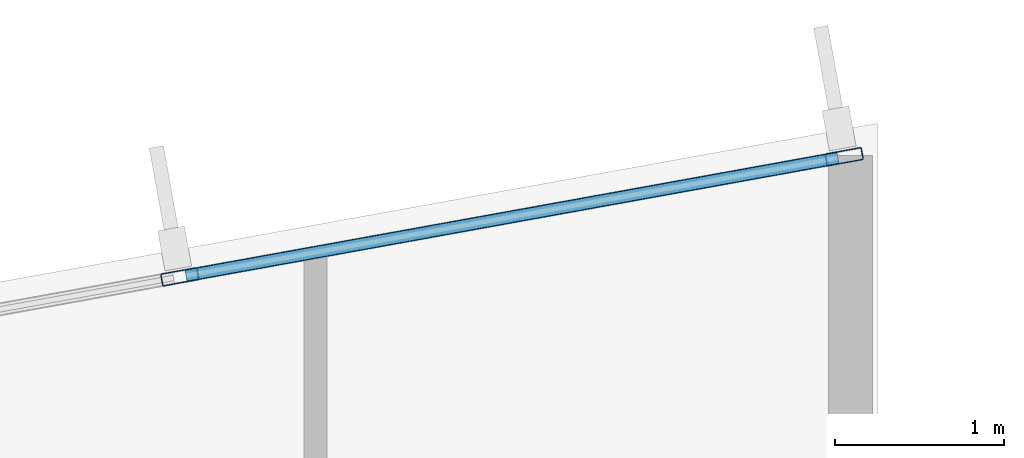
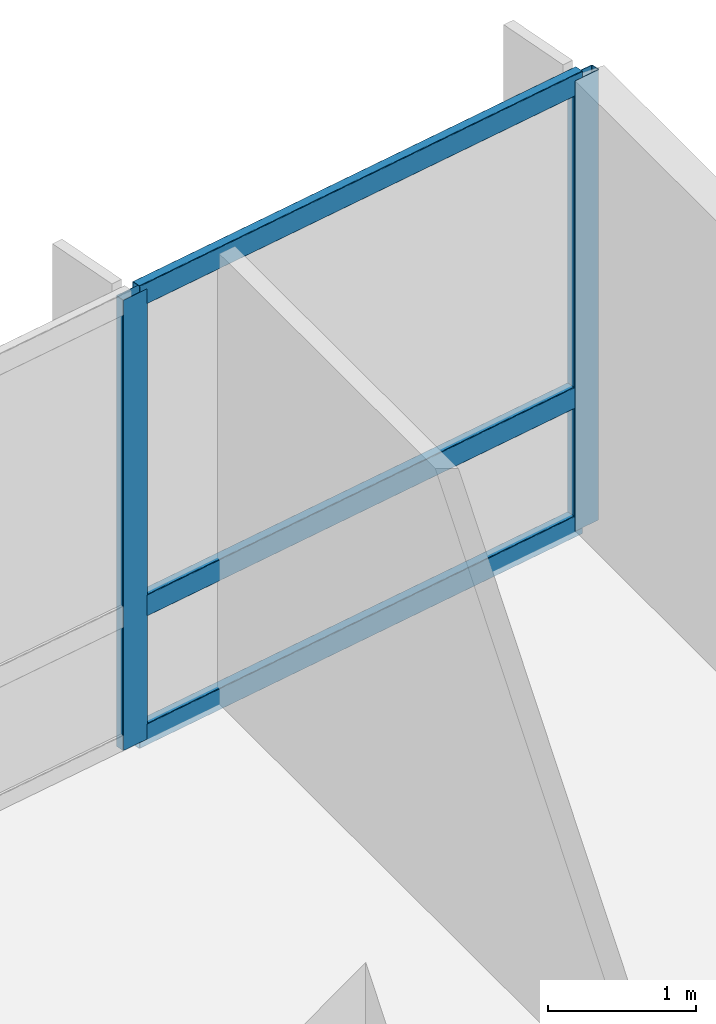
# One storey, part 11 of 22: 5 members, 1 element without a shape of its own.
"""IFC4 building model written with IfcOpenShell, lengths in metres."""

from ifc_helpers import new_model, si_unit, direction, frame, origin, origin_2d, place, context, subcontext, project, spatial, hollow_rectangle, extrude, material, layer, layer_set, material_profile, profile_set, type_object, element, aggregate, save


model = new_model("IFC4")

# Units and contexts
model_context = context("Model", 3, precision=1e-05, world=origin(), true_north=direction((0.0, 1.0)))
body_context = subcontext(model_context, "Body", "Model", "MODEL_VIEW")
ifc_project = project(units=[si_unit("LENGTHUNIT", "METRE"), si_unit("AREAUNIT", "SQUARE_METRE"), si_unit("VOLUMEUNIT", "CUBIC_METRE"), si_unit("PLANEANGLEUNIT", "RADIAN"), si_unit("MASSUNIT", "GRAM", prefix="KILO")], contexts=[model_context])

# Site, building, storey
site_placement = place(None, origin())
site = spatial("IfcSite", under=ifc_project, at=site_placement, CompositionType="ELEMENT")
building_placement = place(site_placement, origin())
building = spatial("IfcBuilding", under=site, at=building_placement, Name="Varnakote Quay Hospital", CompositionType="ELEMENT")
storey_placement = place(building_placement, frame((0.0, 0.0, 62.0)))
storey = spatial("IfcBuildingStorey", under=building, at=storey_placement, Name="L15", CompositionType="ELEMENT", Elevation=62.0)

# Curtain wall, members
ifc_material_1 = material(Name="Anodised aluminium 6063-T6 Bronze", Category="aluminium")
ifc_layer = layer(ifc_material_1, 0.18994140625)
ifc_layer_set = layer_set([ifc_layer], Name="Anodised aluminium 6063-T6 Bronze")
curtain_wall_type = type_object("IfcCurtainWallType", Name="CW-SYS-2", PredefinedType="NOTDEFINED", material=ifc_layer_set)
curtain_wall_placement = place(storey_placement, origin())
curtain_wall = element("IfcCurtainWall", 1, at=curtain_wall_placement, inside=storey, type_object=curtain_wall_type, Name="L15 Unitised Bronze Curtain Wall 2", PredefinedType="NOTDEFINED")
ifc_material_2 = material(Name="Anodised aluminium 6063-T6 Bronze", Category="aluminium")
ifc_material_profile_1 = material_profile(ifc_material_2, hollow_rectangle(XDim=0.074951171875, YDim=0.219970703125, WallThickness=0.00439453125, InnerFilletRadius=0.00439453125, OuterFilletRadius=0.009033203125, at=origin_2d()), Name="CW-MULL-220x75")
ifc_profile_set_1 = profile_set([ifc_material_profile_1], Name="Anodised aluminium 6063-T6 Bronze")
member_type_1 = type_object("IfcMemberType", Name="CW-MULL-220x75", PredefinedType="MULLION", material=ifc_profile_set_1)
member_1_placement = place(storey_placement, frame((55.403076171875, 34.201904296875, 0.0), z_axis=(0.0, 0.0, 1.0), x_axis=(0.177846199098, -0.984058295766, 0.0)))
member_1 = element("IfcMember", 2, at=member_1_placement, type_object=member_type_1, Name="-2-L15-2 mullion 1", PredefinedType="MULLION", context=body_context, shape_type="SweptSolid", body=[
    extrude(hollow_rectangle(XDim=0.074951171875, YDim=0.219970703125, WallThickness=0.00439453125, InnerFilletRadius=0.00439453125, OuterFilletRadius=0.009033203125, at=origin_2d()), origin(), (0.0, 0.0, 1.0), 3.7099609375),
])
member_2_placement = place(storey_placement, frame((51.477294921875, 33.492431640625, 0.0), z_axis=(0.0, 0.0, 1.0), x_axis=(0.177846199098, -0.984058295766, 0.0)))
member_2 = element("IfcMember", 3, at=member_2_placement, type_object=member_type_1, Name="-2-L15-2 mullion 2", PredefinedType="MULLION", context=body_context, shape_type="SweptSolid", body=[
    extrude(hollow_rectangle(XDim=0.074951171875, YDim=0.219970703125, WallThickness=0.00439453125, InnerFilletRadius=0.00439453125, OuterFilletRadius=0.009033203125, at=origin_2d()), origin(), (0.0, 0.0, 1.0), 3.7099609375),
])
ifc_material_3 = material(Name="Anodised aluminium 6063-T6 Bronze", Category="aluminium")
ifc_material_profile_2 = material_profile(ifc_material_3, hollow_rectangle(XDim=0.074951171875, YDim=0.179931640625, WallThickness=0.004150390625, InnerFilletRadius=0.004150390625, OuterFilletRadius=0.00830078125, at=origin_2d()), Name="CW-TRAN-180x75")
ifc_profile_set_2 = profile_set([ifc_material_profile_2], Name="Anodised aluminium 6063-T6 Bronze")
member_type_2 = type_object("IfcMemberType", Name="CW-TRAN-180x75", PredefinedType="USERDEFINED", material=ifc_profile_set_2)
member_3_placement = place(storey_placement, frame((55.3662109375, 34.195068359375, 0.03759765625), z_axis=(-0.984061948229, -0.177825988109, 0.0), x_axis=(0.177825988109, -0.984061948229, 0.0)))
member_3 = element("IfcMember", 4, at=member_3_placement, type_object=member_type_2, Name="-2-L15-2 transom 1.1", ObjectType="TRANSOM", PredefinedType="USERDEFINED", context=body_context, shape_type="SweptSolid", body=[
    extrude(hollow_rectangle(XDim=0.074951171875, YDim=0.179931640625, WallThickness=0.004150390625, InnerFilletRadius=0.004150390625, OuterFilletRadius=0.00830078125, at=origin_2d()), origin(), (0.0, 0.0, 1.0), 3.914306640625),
])
member_4_placement = place(storey_placement, frame((55.3662109375, 34.195068359375, 1.10009765625), z_axis=(-0.984061948229, -0.177825988109, 0.0), x_axis=(0.177825988109, -0.984061948229, 0.0)))
member_4 = element("IfcMember", 5, at=member_4_placement, type_object=member_type_2, Name="-2-L15-2 transom 1.2", ObjectType="TRANSOM", PredefinedType="USERDEFINED", context=body_context, shape_type="SweptSolid", body=[
    extrude(hollow_rectangle(XDim=0.074951171875, YDim=0.179931640625, WallThickness=0.004150390625, InnerFilletRadius=0.004150390625, OuterFilletRadius=0.00830078125, at=origin_2d()), origin(), (0.0, 0.0, 1.0), 3.914306640625),
])
member_5_placement = place(storey_placement, frame((55.3662109375, 34.195068359375, 3.672607421875), z_axis=(-0.984061948229, -0.177825988109, 0.0), x_axis=(0.177825988109, -0.984061948229, 0.0)))
member_5 = element("IfcMember", 6, at=member_5_placement, type_object=member_type_2, Name="-2-L15-2 transom 1.3", ObjectType="TRANSOM", PredefinedType="USERDEFINED", context=body_context, shape_type="SweptSolid", body=[
    extrude(hollow_rectangle(XDim=0.074951171875, YDim=0.179931640625, WallThickness=0.004150390625, InnerFilletRadius=0.004150390625, OuterFilletRadius=0.00830078125, at=origin_2d()), origin(), (0.0, 0.0, 1.0), 3.914306640625),
])
aggregate(curtain_wall, [member_1, member_2, member_3, member_4, member_5])

save(model, "model.ifc")
